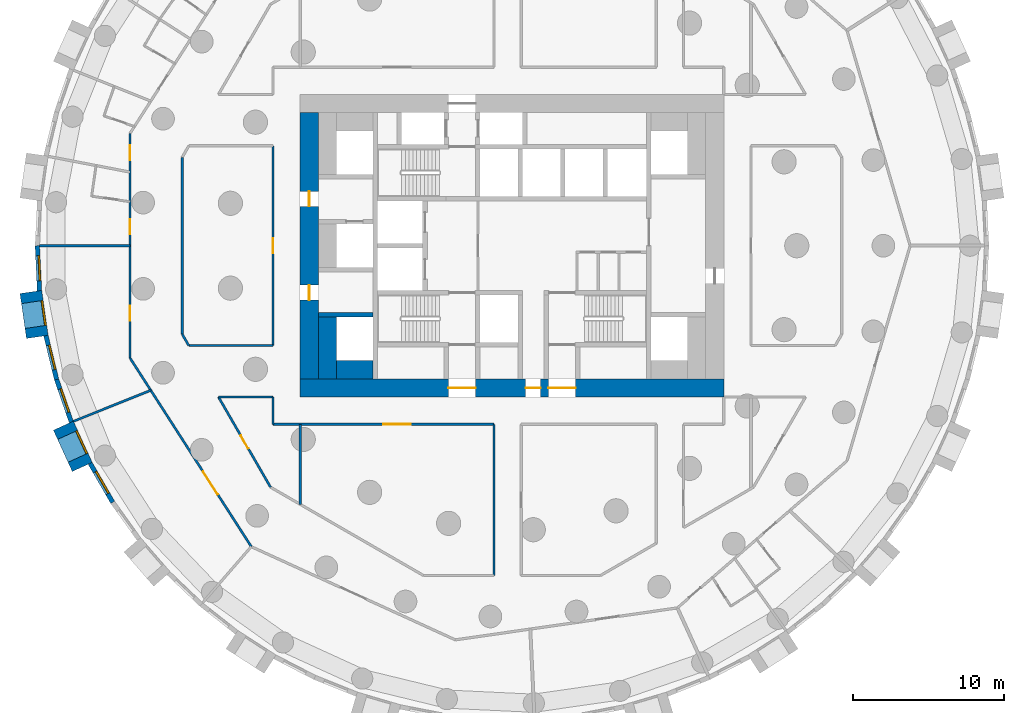
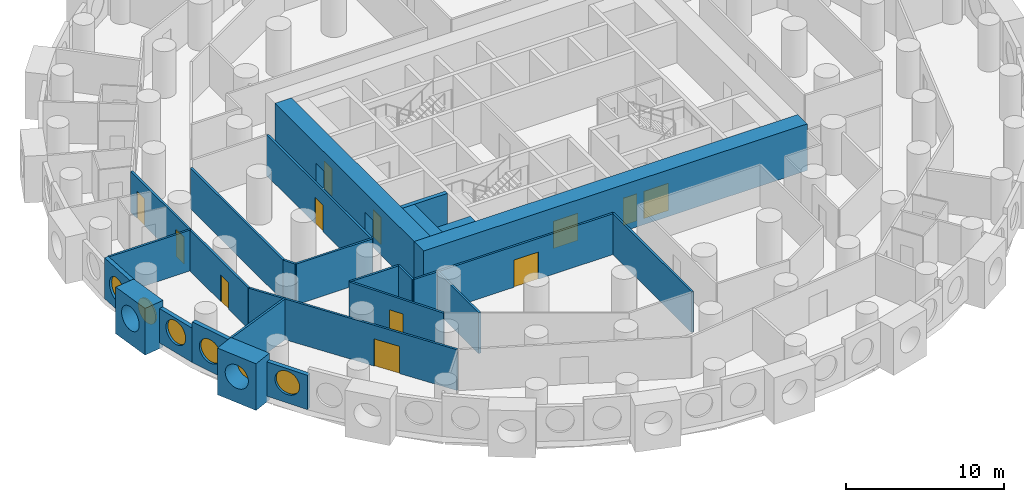
# One storey, part 3 of 11: 25 walls, 12 doors, 6 windows, 18 openings.
"""IFC4 building model written with IfcOpenShell, lengths in metres."""

from ifc_helpers import new_model, si_unit, direction, frame, frame_2d, origin, origin_2d, place, context, subcontext, project, spatial, rectangle, circle, extrude, material, layer, layer_set, type_object, element, fill, save


model = new_model("IFC4")

# Units and contexts
model_context = context("Model", 3, precision=1e-05, world=origin(), true_north=direction((0.0, 1.0)))
body_context = subcontext(model_context, "Body", "Model", "MODEL_VIEW")
ifc_project = project(units=[si_unit("LENGTHUNIT", "METRE"), si_unit("AREAUNIT", "SQUARE_METRE"), si_unit("VOLUMEUNIT", "CUBIC_METRE"), si_unit("PLANEANGLEUNIT", "RADIAN"), si_unit("MASSUNIT", "GRAM", prefix="KILO")], contexts=[model_context])

# Site, building, storey
site_placement = place(None, origin())
site = spatial("IfcSite", under=ifc_project, at=site_placement, CompositionType="ELEMENT")
building_placement = place(site_placement, origin())
building = spatial("IfcBuilding", under=site, at=building_placement, Name="Tracery Tower", CompositionType="ELEMENT")
storey_placement = place(building_placement, frame((0.0, 0.0, 60.60009765625)))
storey = spatial("IfcBuildingStorey", under=building, at=storey_placement, Name="L14", CompositionType="ELEMENT", Elevation=60.60009765625)

# Walls
ifc_material_1 = material(Name="Concrete C60/75", Category="concrete")
ifc_layer_1 = layer(ifc_material_1, 1.199951171875)
ifc_layer_set_1 = layer_set([ifc_layer_1], Name="Core strip wall 1200 C60")
wall_type_1 = type_object("IfcWallType", Name="Core strip wall 1200 C60", PredefinedType="SOLIDWALL", material=ifc_layer_set_1)
wall_1_placement = place(storey_placement, frame((-12.199951171875, -8.800048828125, 0.0), z_axis=(0.0, 0.0, 1.0), x_axis=(0.0, 1.0, 0.0)))
element("IfcWall", 1, at=wall_1_placement, inside=storey, type_object=wall_type_1, Name="L14 wing strip -1 -9.4", PredefinedType="SOLIDWALL", context=body_context, shape_type="SweptSolid", body=[
    extrude(rectangle(XDim=4.10009765625, YDim=1.199951171875, at=frame_2d((2.050048828125, 0.0))), origin(), (0.0, 0.0, 1.0), 3.14990234375),
])
wall_2_placement = place(storey_placement, frame((-11.60009765625, -8.199951171875, 0.0), z_axis=(0.0, 0.0, 1.0), x_axis=(1.0, 0.0, 0.0)))
element("IfcWall", 2, at=wall_2_placement, inside=storey, type_object=wall_type_1, Name="L14 wing corner -1 -8.2", PredefinedType="SOLIDWALL", context=body_context, shape_type="SweptSolid", body=[
    extrude(rectangle(XDim=2.400146484375, YDim=1.199951171875, at=frame_2d((1.2001953125, 0.0))), origin(), (0.0, 0.0, 1.0), 3.14990234375),
])

# Wall, openings, doors
ifc_material_2 = material(Name="Concrete C60/75", Category="concrete")
ifc_layer_2 = layer(ifc_material_2, 1.199951171875)
ifc_layer_set_2 = layer_set([ifc_layer_2], Name="Core wall 1200 C60")
wall_type_2 = type_object("IfcWallType", Name="Core wall 1200 C60", PredefinedType="SOLIDWALL", material=ifc_layer_set_2)
wall_3_placement = place(storey_placement, frame((-14.0, -9.39990234375, 0.0), z_axis=(0.0, 0.0, 1.0), x_axis=(1.0, 0.0, 0.0)))
wall_3 = element("IfcWall", 3, at=wall_3_placement, inside=storey, type_object=wall_type_2, Name="L14 outer S", PredefinedType="SOLIDWALL", context=body_context, shape_type="SweptSolid", body=[
    extrude(rectangle(XDim=28.0, YDim=1.199951171875, at=frame_2d((14.0, 0.0))), origin(), (0.0, 0.0, 1.0), 3.599853515625),
])
opening_1_placement = place(wall_3_placement, frame((14.89990234375, 0.0, 0.0)))
opening_1 = element("IfcOpeningElement", 4, at=opening_1_placement, cuts=wall_3, Name="Opening KD16", PredefinedType="OPENING", context=body_context, shape_type="SweptSolid", body=[
    extrude(rectangle(XDim=1.0, YDim=2.10009765625, at=frame_2d((0.5, 1.050048828125))), frame((0.0, 0.60009765625, 0.0), z_axis=(0.0, -1.0, 0.0), x_axis=(1.0, 0.0, 0.0)), (0.0, 0.0, 1.0), 1.199951171875),
])
opening_2_placement = place(wall_3_placement, frame((9.800048828125, 0.0, 0.0)))
opening_2 = element("IfcOpeningElement", 5, at=opening_2_placement, cuts=wall_3, Name="Opening KD13", PredefinedType="OPENING", context=body_context, shape_type="SweptSolid", body=[
    extrude(rectangle(XDim=1.800048828125, YDim=2.10009765625, at=frame_2d((0.89990234375, 1.050048828125))), frame((0.0, 0.60009765625, 0.0), z_axis=(0.0, -1.0, 0.0), x_axis=(1.0, 0.0, 0.0)), (0.0, 0.0, 1.0), 1.199951171875),
])
opening_3_placement = place(wall_3_placement, frame((16.39990234375, 0.0, 0.0)))
opening_3 = element("IfcOpeningElement", 6, at=opening_3_placement, cuts=wall_3, Name="Opening KD13", PredefinedType="OPENING", context=body_context, shape_type="SweptSolid", body=[
    extrude(rectangle(XDim=1.800048828125, YDim=2.10009765625, at=frame_2d((0.89990234375, 1.050048828125))), frame((0.0, 0.60009765625, 0.0), z_axis=(0.0, -1.0, 0.0), x_axis=(1.0, 0.0, 0.0)), (0.0, 0.0, 1.0), 1.199951171875),
])
ifc_material_3 = material(Name="Steel fire door", Category="steel")
door_type_1 = type_object("IfcDoorType", Name="Core exit door 1000", OperationType="NOTDEFINED", PredefinedType="DOOR", material=ifc_material_3)
door_1_placement = place(opening_1_placement, origin())
door_1 = element("IfcDoor", 7, at=door_1_placement, inside=storey, type_object=door_type_1, Name="Core exit door", OperationType="SINGLE_SWING_LEFT", OverallHeight=2.10009765625, OverallWidth=1.0, PredefinedType="DOOR", context=body_context, shape_type="SweptSolid", body=[
    extrude(rectangle(XDim=1.0, YDim=2.10009765625, at=frame_2d((0.5, 1.050048828125))), frame((0.0, 0.02490234375, 0.0), z_axis=(0.0, -1.0, 0.0), x_axis=(1.0, 0.0, 0.0)), (0.0, 0.0, 1.0), 0.050048828125),
])
fill(opening_1, door_1)
ifc_material_4 = material(Name="Steel fire door", Category="steel")
door_type_2 = type_object("IfcDoorType", Name="Core exit door 1800 double", OperationType="NOTDEFINED", PredefinedType="DOOR", material=ifc_material_4)
door_2_placement = place(opening_2_placement, origin())
door_2 = element("IfcDoor", 8, at=door_2_placement, inside=storey, type_object=door_type_2, Name="Core exit door", OperationType="DOUBLE_DOOR_SINGLE_SWING", OverallHeight=2.10009765625, OverallWidth=1.800048828125, PredefinedType="DOOR", context=body_context, shape_type="SweptSolid", body=[
    extrude(rectangle(XDim=1.800048828125, YDim=2.10009765625, at=frame_2d((0.89990234375, 1.050048828125))), frame((0.0, 0.02490234375, 0.0), z_axis=(0.0, -1.0, 0.0), x_axis=(1.0, 0.0, 0.0)), (0.0, 0.0, 1.0), 0.050048828125),
])
fill(opening_2, door_2)
door_3_placement = place(opening_3_placement, origin())
door_3 = element("IfcDoor", 9, at=door_3_placement, inside=storey, type_object=door_type_2, Name="Core exit door", OperationType="DOUBLE_DOOR_SINGLE_SWING", OverallHeight=2.10009765625, OverallWidth=1.800048828125, PredefinedType="DOOR", context=body_context, shape_type="SweptSolid", body=[
    extrude(rectangle(XDim=1.800048828125, YDim=2.10009765625, at=frame_2d((0.89990234375, 1.050048828125))), frame((0.0, 0.02490234375, 0.0), z_axis=(0.0, -1.0, 0.0), x_axis=(1.0, 0.0, 0.0)), (0.0, 0.0, 1.0), 0.050048828125),
])
fill(opening_3, door_3)

wall_4_placement = place(storey_placement, frame((-13.39990234375, -8.800048828125, 0.0), z_axis=(0.0, 0.0, 1.0), x_axis=(0.0, 1.0, 0.0)))
wall_4 = element("IfcWall", 10, at=wall_4_placement, inside=storey, type_object=wall_type_2, Name="L14 outer W", PredefinedType="SOLIDWALL", context=body_context, shape_type="SweptSolid", body=[
    extrude(rectangle(XDim=17.60009765625, YDim=1.199951171875, at=frame_2d((8.800048828125, 0.0))), origin(), (0.0, 0.0, 1.0), 3.599853515625),
])
opening_4_placement = place(wall_4_placement, frame((5.199951171875, 0.0, 0.0)))
opening_4 = element("IfcOpeningElement", 11, at=opening_4_placement, cuts=wall_4, Name="Opening KD18", PredefinedType="OPENING", context=body_context, shape_type="SweptSolid", body=[
    extrude(rectangle(XDim=1.0, YDim=2.10009765625, at=frame_2d((0.5, 1.050048828125))), frame((0.0, 0.60009765625, 0.0), z_axis=(0.0, -1.0, 0.0), x_axis=(1.0, 0.0, 0.0)), (0.0, 0.0, 1.0), 1.199951171875),
])
opening_5_placement = place(wall_4_placement, frame((11.39990234375, 0.0, 0.0)))
opening_5 = element("IfcOpeningElement", 12, at=opening_5_placement, cuts=wall_4, Name="Opening KD18", PredefinedType="OPENING", context=body_context, shape_type="SweptSolid", body=[
    extrude(rectangle(XDim=1.0, YDim=2.10009765625, at=frame_2d((0.5, 1.050048828125))), frame((0.0, 0.60009765625, 0.0), z_axis=(0.0, -1.0, 0.0), x_axis=(1.0, 0.0, 0.0)), (0.0, 0.0, 1.0), 1.199951171875),
])
door_4_placement = place(opening_4_placement, origin())
door_4 = element("IfcDoor", 13, at=door_4_placement, inside=storey, type_object=door_type_1, Name="Core exit door", OperationType="DOUBLE_DOOR_SINGLE_SWING", OverallHeight=2.10009765625, OverallWidth=1.0, PredefinedType="DOOR", context=body_context, shape_type="SweptSolid", body=[
    extrude(rectangle(XDim=1.0, YDim=2.10009765625, at=frame_2d((0.5, 1.050048828125))), frame((0.0, 0.02490234375, 0.0), z_axis=(0.0, -1.0, 0.0), x_axis=(1.0, 0.0, 0.0)), (0.0, 0.0, 1.0), 0.050048828125),
])
fill(opening_4, door_4)
door_5_placement = place(opening_5_placement, origin())
door_5 = element("IfcDoor", 14, at=door_5_placement, inside=storey, type_object=door_type_1, Name="Core exit door", OperationType="DOUBLE_DOOR_SINGLE_SWING", OverallHeight=2.10009765625, OverallWidth=1.0, PredefinedType="DOOR", context=body_context, shape_type="SweptSolid", body=[
    extrude(rectangle(XDim=1.0, YDim=2.10009765625, at=frame_2d((0.5, 1.050048828125))), frame((0.0, 0.02490234375, 0.0), z_axis=(0.0, -1.0, 0.0), x_axis=(1.0, 0.0, 0.0)), (0.0, 0.0, 1.0), 0.050048828125),
])
fill(opening_5, door_5)

# Wall, opening, window
ifc_material_5 = material(Name="Precast concrete C50/60", Category="concrete")
ifc_layer_3 = layer(ifc_material_5, 1.449951171875)
ifc_layer_set_3 = layer_set([ifc_layer_3], Name="Deep-set bay unit 3000 x 3600, slab edge 450")
wall_type_3 = type_object("IfcWallType", Name="Deep-set bay unit 3000 x 3600, slab edge 450", PredefinedType="ELEMENTEDWALL", material=ifc_layer_set_3)
wall_5_placement = place(storey_placement, frame((-31.802490234375, -3.05712890625, -0.4501953125), z_axis=(0.0, 0.0, 1.0), x_axis=(0.142332746704, -0.989818866872, 0.0)))
wall_5 = element("IfcWall", 15, at=wall_5_placement, inside=storey, type_object=wall_type_3, Name="Deep-set bay unit 35 at L14", PredefinedType="ELEMENTEDWALL", context=body_context, shape_type="SweptSolid", body=[
    extrude(rectangle(XDim=3.0, YDim=1.449951171875, at=frame_2d((1.5, 0.0))), origin(), (0.0, 0.0, 1.0), 3.60009765625),
])
opening_6_placement = place(wall_5_placement, frame((1.5, 0.0, 2.0)))
opening_6 = element("IfcOpeningElement", 16, at=opening_6_placement, cuts=wall_5, Name="Opening WN1", PredefinedType="OPENING", context=body_context, shape_type="SweptSolid", body=[
    extrude(circle(Radius=0.9000244140625, at=origin_2d()), frame((0.0, 0.73486328125, 0.0), z_axis=(0.0, -1.0, 0.0), x_axis=(1.0, 0.0, 0.0)), (0.0, 0.0, 1.0), 1.469970703125),
])
ifc_material_6 = material(Name="Aluminium frame with tinted double glazing", Category="aluminium")
window_type = type_object("IfcWindowType", Name="Round window 1800", PartitioningType="SINGLE_PANEL", PredefinedType="WINDOW", material=ifc_material_6)
window_1_placement = place(opening_6_placement, origin())
window_1 = element("IfcWindow", 17, at=window_1_placement, inside=storey, type_object=window_type, Name="Round window 35 at L14", OverallHeight=1.800048828125, OverallWidth=1.800048828125, PartitioningType="SINGLE_PANEL", PredefinedType="WINDOW", context=body_context, shape_type="SweptSolid", body=[
    extrude(circle(Radius=0.9000244140625, at=origin_2d()), frame((0.0, 0.69482421875, 0.0), z_axis=(0.0, -1.0, 0.0), x_axis=(1.0, 0.0, 0.0)), (0.0, 0.0, 1.0), 0.10009765625),
])
fill(opening_6, window_1)

wall_6_placement = place(storey_placement, frame((-29.653076171875, -11.89306640625, -0.4501953125), z_axis=(0.0, 0.0, 1.0), x_axis=(0.415427028395, -0.909626508012, 0.0)))
wall_6 = element("IfcWall", 18, at=wall_6_placement, inside=storey, type_object=wall_type_3, Name="Deep-set bay unit 38 at L14", PredefinedType="ELEMENTEDWALL", context=body_context, shape_type="SweptSolid", body=[
    extrude(rectangle(XDim=3.000244140625, YDim=1.449951171875, at=frame_2d((1.5, 0.0))), origin(), (0.0, 0.0, 1.0), 3.60009765625),
])
opening_7_placement = place(wall_6_placement, frame((1.5, 0.0, 2.0)))
opening_7 = element("IfcOpeningElement", 19, at=opening_7_placement, cuts=wall_6, Name="Opening WN1", PredefinedType="OPENING", context=body_context, shape_type="SweptSolid", body=[
    extrude(circle(Radius=0.9000244140625, at=origin_2d()), frame((0.0, 0.73486328125, 0.0), z_axis=(0.0, -1.0, 0.0), x_axis=(1.0, 0.0, 0.0)), (0.0, 0.0, 1.0), 1.469970703125),
])
window_2_placement = place(opening_7_placement, origin())
window_2 = element("IfcWindow", 20, at=window_2_placement, inside=storey, type_object=window_type, Name="Round window 38 at L14", OverallHeight=1.800048828125, OverallWidth=1.800048828125, PartitioningType="SINGLE_PANEL", PredefinedType="WINDOW", context=body_context, shape_type="SweptSolid", body=[
    extrude(circle(Radius=0.9000244140625, at=origin_2d()), frame((0.0, 0.69482421875, 0.0), z_axis=(0.0, -1.0, 0.0), x_axis=(1.0, 0.0, 0.0)), (0.0, 0.0, 1.0), 0.10009765625),
])
fill(opening_7, window_2)

ifc_material_7 = material(Name="Precast concrete C50/60", Category="concrete")
ifc_layer_4 = layer(ifc_material_7, 0.300048828125)
ifc_layer_set_4 = layer_set([ifc_layer_4], Name="Facade panel 3000 x 2650")
wall_type_4 = type_object("IfcWallType", Name="Facade panel 3000 x 2650", PredefinedType="SOLIDWALL", material=ifc_layer_set_4)
wall_7_placement = place(storey_placement, frame((-30.805908203125, -5.943603515625, 0.0), z_axis=(0.0, 0.0, 1.0), x_axis=(0.235743081534, -0.971815414319, 0.0)))
wall_7 = element("IfcWall", 21, at=wall_7_placement, inside=storey, type_object=wall_type_4, Name="Facade panel 36 at L14", PredefinedType="SOLIDWALL", context=body_context, shape_type="SweptSolid", body=[
    extrude(rectangle(XDim=2.9794921875, YDim=0.300048828125, at=frame_2d((1.48974609375, 0.0))), origin(), (0.0, 0.0, 1.0), 2.64990234375),
])
opening_8_placement = place(wall_7_placement, frame((1.48974609375, 0.0, 1.5498046875)))
opening_8 = element("IfcOpeningElement", 22, at=opening_8_placement, cuts=wall_7, Name="Opening WN1", PredefinedType="OPENING", context=body_context, shape_type="SweptSolid", body=[
    extrude(circle(Radius=0.9000244140625, at=origin_2d()), frame((0.0, 0.159912109375, 0.0), z_axis=(0.0, -1.0, 0.0), x_axis=(1.0, 0.0, 0.0)), (0.0, 0.0, 1.0), 0.320068359375),
])
window_3_placement = place(opening_8_placement, origin())
window_3 = element("IfcWindow", 23, at=window_3_placement, inside=storey, type_object=window_type, Name="Round window 36 at L14", OverallHeight=1.800048828125, OverallWidth=1.800048828125, PartitioningType="SINGLE_PANEL", PredefinedType="WINDOW", context=body_context, shape_type="SweptSolid", body=[
    extrude(circle(Radius=0.9000244140625, at=origin_2d()), frame((0.0, 0.1201171875, 0.0), z_axis=(0.0, -1.0, 0.0), x_axis=(1.0, 0.0, 0.0)), (0.0, 0.0, 1.0), 0.10009765625),
])
fill(opening_8, window_3)

wall_8_placement = place(storey_placement, frame((-27.8837890625, -14.3818359375, 0.0), z_axis=(0.0, 0.0, 1.0), x_axis=(0.500025049464, -0.866010940986, 0.0)))
wall_8 = element("IfcWall", 24, at=wall_8_placement, inside=storey, type_object=wall_type_4, Name="Facade panel 39 at L14", PredefinedType="SOLIDWALL", context=body_context, shape_type="SweptSolid", body=[
    extrude(rectangle(XDim=2.979736328125, YDim=0.300048828125, at=frame_2d((1.48974609375, 0.0))), origin(), (0.0, 0.0, 1.0), 2.64990234375),
])
opening_9_placement = place(wall_8_placement, frame((1.48974609375, 0.0, 1.5498046875)))
opening_9 = element("IfcOpeningElement", 25, at=opening_9_placement, cuts=wall_8, Name="Opening WN1", PredefinedType="OPENING", context=body_context, shape_type="SweptSolid", body=[
    extrude(circle(Radius=0.9000244140625, at=origin_2d()), frame((0.0, 0.159912109375, 0.0), z_axis=(0.0, -1.0, 0.0), x_axis=(1.0, 0.0, 0.0)), (0.0, 0.0, 1.0), 0.320068359375),
])
window_4_placement = place(opening_9_placement, origin())
window_4 = element("IfcWindow", 26, at=window_4_placement, inside=storey, type_object=window_type, Name="Round window 39 at L14", OverallHeight=1.800048828125, OverallWidth=1.800048828125, PartitioningType="SINGLE_PANEL", PredefinedType="WINDOW", context=body_context, shape_type="SweptSolid", body=[
    extrude(circle(Radius=0.9000244140625, at=origin_2d()), frame((0.0, 0.1201171875, 0.0), z_axis=(0.0, -1.0, 0.0), x_axis=(1.0, 0.0, 0.0)), (0.0, 0.0, 1.0), 0.10009765625),
])
fill(opening_9, window_4)

ifc_material_8 = material(Name="Precast concrete C50/60", Category="concrete")
ifc_layer_5 = layer(ifc_material_8, 0.300048828125)
ifc_layer_set_5 = layer_set([ifc_layer_5], Name="Facade panel 3000 x 3150")
wall_type_5 = type_object("IfcWallType", Name="Facade panel 3000 x 3150", PredefinedType="SOLIDWALL", material=ifc_layer_set_5)
wall_9_placement = place(storey_placement, frame((-31.37451171875, 0.0, 0.0), z_axis=(0.0, 0.0, 1.0), x_axis=(0.047604077644, -0.998866283239, 0.0)))
wall_9 = element("IfcWall", 27, at=wall_9_placement, inside=storey, type_object=wall_type_5, Name="Facade panel 34 at L14", PredefinedType="SOLIDWALL", context=body_context, shape_type="SweptSolid", body=[
    extrude(rectangle(XDim=2.979736328125, YDim=0.300048828125, at=frame_2d((1.48974609375, 0.0))), origin(), (0.0, 0.0, 1.0), 3.14990234375),
])
opening_10_placement = place(wall_9_placement, frame((1.48974609375, 0.0, 1.5498046875)))
opening_10 = element("IfcOpeningElement", 28, at=opening_10_placement, cuts=wall_9, Name="Opening WN1", PredefinedType="OPENING", context=body_context, shape_type="SweptSolid", body=[
    extrude(circle(Radius=0.9000244140625, at=origin_2d()), frame((0.0, 0.159912109375, 0.0), z_axis=(0.0, -1.0, 0.0), x_axis=(1.0, 0.0, 0.0)), (0.0, 0.0, 1.0), 0.320068359375),
])
window_5_placement = place(opening_10_placement, origin())
window_5 = element("IfcWindow", 29, at=window_5_placement, inside=storey, type_object=window_type, Name="Round window 34 at L14", OverallHeight=1.800048828125, OverallWidth=1.800048828125, PartitioningType="SINGLE_PANEL", PredefinedType="WINDOW", context=body_context, shape_type="SweptSolid", body=[
    extrude(circle(Radius=0.9000244140625, at=origin_2d()), frame((0.0, 0.1201171875, 0.0), z_axis=(0.0, -1.0, 0.0), x_axis=(1.0, 0.0, 0.0)), (0.0, 0.0, 1.0), 0.10009765625),
])
fill(opening_10, window_5)

wall_10_placement = place(storey_placement, frame((-30.103515625, -8.839111328125, 0.0), z_axis=(0.0, 0.0, 1.0), x_axis=(0.327071167136, -0.944999709856, 0.0)))
wall_10 = element("IfcWall", 30, at=wall_10_placement, inside=storey, type_object=wall_type_5, Name="Facade panel 37 at L14", PredefinedType="SOLIDWALL", context=body_context, shape_type="SweptSolid", body=[
    extrude(rectangle(XDim=2.979736328125, YDim=0.300048828125, at=frame_2d((1.48974609375, 0.0))), origin(), (0.0, 0.0, 1.0), 3.14990234375),
])
opening_11_placement = place(wall_10_placement, frame((1.48974609375, 0.0, 1.5498046875)))
opening_11 = element("IfcOpeningElement", 31, at=opening_11_placement, cuts=wall_10, Name="Opening WN1", PredefinedType="OPENING", context=body_context, shape_type="SweptSolid", body=[
    extrude(circle(Radius=0.9000244140625, at=origin_2d()), frame((0.0, 0.159912109375, 0.0), z_axis=(0.0, -1.0, 0.0), x_axis=(1.0, 0.0, 0.0)), (0.0, 0.0, 1.0), 0.320068359375),
])
window_6_placement = place(opening_11_placement, origin())
window_6 = element("IfcWindow", 32, at=window_6_placement, inside=storey, type_object=window_type, Name="Round window 37 at L14", OverallHeight=1.800048828125, OverallWidth=1.800048828125, PartitioningType="SINGLE_PANEL", PredefinedType="WINDOW", context=body_context, shape_type="SweptSolid", body=[
    extrude(circle(Radius=0.9000244140625, at=origin_2d()), frame((0.0, 0.1201171875, 0.0), z_axis=(0.0, -1.0, 0.0), x_axis=(1.0, 0.0, 0.0)), (0.0, 0.0, 1.0), 0.10009765625),
])
fill(opening_11, window_6)

# Walls
ifc_material_9 = material(Name="Plasterboard on steel studs", Category="steel")
ifc_layer_6 = layer(ifc_material_9, 0.14990234375)
ifc_layer_set_6 = layer_set([ifc_layer_6], Name="Partition 150 acoustic unit wall")
wall_type_6 = type_object("IfcWallType", Name="Partition 150 acoustic unit wall", PredefinedType="PARTITIONING", material=ifc_layer_set_6)
wall_11_placement = place(storey_placement, frame((-14.0, -17.092041015625, 0.0), z_axis=(0.0, 0.0, 1.0), x_axis=(0.0, 1.0, 0.0)))
element("IfcWall", 33, at=wall_11_placement, inside=storey, type_object=wall_type_6, Name="Unit wall RA4-063", PredefinedType="PARTITIONING", context=body_context, shape_type="SweptSolid", body=[
    extrude(rectangle(XDim=5.2919921875, YDim=0.14990234375, at=frame_2d((2.64599609375, 0.0))), origin(), (0.0, 0.0, 1.0), 3.14990234375),
])
wall_12_placement = place(storey_placement, frame((-31.22412109375, 0.0, 0.0), z_axis=(0.0, 0.0, 1.0), x_axis=(1.0, 0.0, 0.0)))
element("IfcWall", 34, at=wall_12_placement, inside=storey, type_object=wall_type_6, Name="Unit wall RA4-082", PredefinedType="PARTITIONING", context=body_context, shape_type="SweptSolid", body=[
    extrude(rectangle(XDim=5.97119140625, YDim=0.14990234375, at=frame_2d((2.985595703125, 0.0))), origin(), (0.0, 0.0, 1.0), 3.14990234375),
])
wall_13_placement = place(storey_placement, frame((-28.988037109375, -11.60498046875, 0.0), z_axis=(0.0, 0.0, 1.0), x_axis=(0.928372711727, 0.371650518795, 0.0)))
element("IfcWall", 35, at=wall_13_placement, inside=storey, type_object=wall_type_6, Name="Unit wall RA4-083", PredefinedType="PARTITIONING", context=body_context, shape_type="SweptSolid", body=[
    extrude(rectangle(XDim=5.507568359375, YDim=0.14990234375, at=frame_2d((2.75390625, 0.0))), origin(), (0.0, 0.0, 1.0), 3.14990234375),
])

# Wall, opening, door
ifc_material_10 = material(Name="Plasterboard on steel studs", Category="steel")
ifc_layer_7 = layer(ifc_material_10, 0.14990234375)
ifc_layer_set_7 = layer_set([ifc_layer_7], Name="Partition 150 corridor wall")
wall_type_7 = type_object("IfcWallType", Name="Partition 150 corridor wall", PredefinedType="PARTITIONING", material=ifc_layer_set_7)
wall_14_placement = place(storey_placement, frame((-15.800048828125, -11.800048828125, 0.0), z_axis=(0.0, 0.0, 1.0), x_axis=(1.0, 0.0, 0.0)))
wall_14 = element("IfcWall", 36, at=wall_14_placement, inside=storey, type_object=wall_type_7, Name="Corridor wall RA4-006", PredefinedType="PARTITIONING", context=body_context, shape_type="SweptSolid", body=[
    extrude(rectangle(XDim=14.612060546875, YDim=0.14990234375, at=frame_2d((7.30615234375, 0.0))), origin(), (0.0, 0.0, 1.0), 3.14990234375),
])
opening_12_placement = place(wall_14_placement, frame((7.303955078125, 0.0, 0.0)))
opening_12 = element("IfcOpeningElement", 37, at=opening_12_placement, cuts=wall_14, Name="Opening RA4-04", PredefinedType="OPENING", context=body_context, shape_type="SweptSolid", body=[
    extrude(rectangle(XDim=1.800048828125, YDim=2.10009765625, at=frame_2d((0.89990234375, 1.050048828125))), frame((0.0, 0.074951171875, 0.0), z_axis=(0.0, -1.0, 0.0), x_axis=(1.0, 0.0, 0.0)), (0.0, 0.0, 1.0), 0.14990234375),
])
ifc_material_11 = material(Name="Timber door leaf", Category="wood")
door_type_3 = type_object("IfcDoorType", Name="Door double lounge 1800", OperationType="NOTDEFINED", PredefinedType="DOOR", material=ifc_material_11)
door_6_placement = place(opening_12_placement, origin())
door_6 = element("IfcDoor", 38, at=door_6_placement, inside=storey, type_object=door_type_3, Name="Double lounge door RA4-04", OperationType="DOUBLE_DOOR_SINGLE_SWING", OverallHeight=2.10009765625, OverallWidth=1.800048828125, PredefinedType="DOOR", context=body_context, shape_type="SweptSolid", body=[
    extrude(rectangle(XDim=1.800048828125, YDim=2.10009765625, at=frame_2d((0.89990234375, 1.050048828125))), frame((0.0, 0.02490234375, 0.0), z_axis=(0.0, -1.0, 0.0), x_axis=(1.0, 0.0, 0.0)), (0.0, 0.0, 1.0), 0.050048828125),
])
fill(opening_12, door_6)

# Wall
wall_15_placement = place(storey_placement, frame((-15.800048828125, -11.800048828125, 0.0), z_axis=(0.0, 0.0, 1.0), x_axis=(0.0, 1.0, 0.0)))
element("IfcWall", 39, at=wall_15_placement, inside=storey, type_object=wall_type_7, Name="Corridor wall RA4-010", PredefinedType="PARTITIONING", context=body_context, shape_type="SweptSolid", body=[
    extrude(rectangle(XDim=1.800048828125, YDim=0.14990234375, at=frame_2d((0.89990234375, 0.0))), origin(), (0.0, 0.0, 1.0), 3.14990234375),
])

# Wall, opening, door
wall_16_placement = place(storey_placement, frame((-15.800048828125, -6.60400390625, 0.0), z_axis=(0.0, 0.0, 1.0), x_axis=(0.0, 1.0, 0.0)))
wall_16 = element("IfcWall", 40, at=wall_16_placement, inside=storey, type_object=wall_type_7, Name="Corridor wall RA4-014", PredefinedType="PARTITIONING", context=body_context, shape_type="SweptSolid", body=[
    extrude(rectangle(XDim=13.2080078125, YDim=0.14990234375, at=frame_2d((6.60400390625, 0.0))), origin(), (0.0, 0.0, 1.0), 3.14990234375),
])
opening_13_placement = place(wall_16_placement, frame((6.10400390625, 0.0, 0.0)))
opening_13 = element("IfcOpeningElement", 41, at=opening_13_placement, cuts=wall_16, Name="Opening RA4-08", PredefinedType="OPENING", context=body_context, shape_type="SweptSolid", body=[
    extrude(rectangle(XDim=1.0, YDim=2.0400390625, at=frame_2d((0.5, 1.02001953125))), frame((0.0, 0.074951171875, 0.0), z_axis=(0.0, -1.0, 0.0), x_axis=(1.0, 0.0, 0.0)), (0.0, 0.0, 1.0), 0.14990234375),
])
ifc_material_12 = material(Name="Timber door leaf", Category="wood")
door_type_4 = type_object("IfcDoorType", Name="Door communal room 1000", OperationType="NOTDEFINED", PredefinedType="DOOR", material=ifc_material_12)
door_7_placement = place(opening_13_placement, origin())
door_7 = element("IfcDoor", 42, at=door_7_placement, inside=storey, type_object=door_type_4, Name="Communal room door RA4-08", OperationType="SINGLE_SWING_RIGHT", OverallHeight=2.0400390625, OverallWidth=1.0, PredefinedType="DOOR", context=body_context, shape_type="SweptSolid", body=[
    extrude(rectangle(XDim=1.0, YDim=2.0400390625, at=frame_2d((0.5, 1.02001953125))), frame((0.0, 0.02490234375, 0.0), z_axis=(0.0, -1.0, 0.0), x_axis=(1.0, 0.0, 0.0)), (0.0, 0.0, 1.0), 0.050048828125),
])
fill(opening_13, door_7)

# Walls
wall_17_placement = place(storey_placement, frame((-21.802001953125, -5.842041015625, 0.0), z_axis=(0.0, 0.0, 1.0), x_axis=(0.0, 1.0, 0.0)))
element("IfcWall", 43, at=wall_17_placement, inside=storey, type_object=wall_type_7, Name="Corridor wall RA4-040", PredefinedType="PARTITIONING", context=body_context, shape_type="SweptSolid", body=[
    extrude(rectangle(XDim=11.68408203125, YDim=0.14990234375, at=frame_2d((5.842041015625, 0.0))), origin(), (0.0, 0.0, 1.0), 3.14990234375),
])
wall_18_placement = place(storey_placement, frame((-21.802001953125, -5.842041015625, 0.0), z_axis=(0.0, 0.0, 1.0), x_axis=(0.500277597875, -0.865865073245, 0.0)))
element("IfcWall", 44, at=wall_18_placement, inside=storey, type_object=wall_type_7, Name="Corridor wall RA4-041", PredefinedType="PARTITIONING", context=body_context, shape_type="SweptSolid", body=[
    extrude(rectangle(XDim=0.87548828125, YDim=0.14990234375, at=frame_2d((0.437744140625, 0.0))), origin(), (0.0, 0.0, 1.0), 3.14990234375),
])
wall_19_placement = place(storey_placement, frame((-21.364013671875, -6.60009765625, 0.0), z_axis=(0.0, 0.0, 1.0), x_axis=(1.0, 0.0, 0.0)))
element("IfcWall", 45, at=wall_19_placement, inside=storey, type_object=wall_type_7, Name="Corridor wall RA4-042", PredefinedType="PARTITIONING", context=body_context, shape_type="SweptSolid", body=[
    extrude(rectangle(XDim=5.56396484375, YDim=0.14990234375, at=frame_2d((2.781982421875, 0.0))), origin(), (0.0, 0.0, 1.0), 3.14990234375),
])
wall_20_placement = place(storey_placement, frame((-19.40087890625, -10.0, 0.0), z_axis=(0.0, 0.0, 1.0), x_axis=(1.0, 0.0, 0.0)))
element("IfcWall", 46, at=wall_20_placement, inside=storey, type_object=wall_type_7, Name="Corridor wall RA4-045", PredefinedType="PARTITIONING", context=body_context, shape_type="SweptSolid", body=[
    extrude(rectangle(XDim=3.600830078125, YDim=0.14990234375, at=frame_2d((1.80029296875, 0.0))), origin(), (0.0, 0.0, 1.0), 3.14990234375),
])

# Wall, opening, door
wall_21_placement = place(storey_placement, frame((-19.40087890625, -10.0, 0.0), z_axis=(0.0, 0.0, 1.0), x_axis=(0.499992689227, -0.86602962462, 0.0)))
wall_21 = element("IfcWall", 47, at=wall_21_placement, inside=storey, type_object=wall_type_7, Name="Corridor wall RA4-046", PredefinedType="PARTITIONING", context=body_context, shape_type="SweptSolid", body=[
    extrude(rectangle(XDim=6.8818359375, YDim=0.14990234375, at=frame_2d((3.44091796875, 0.0))), origin(), (0.0, 0.0, 1.0), 3.14990234375),
])
opening_14_placement = place(wall_21_placement, frame((2.94091796875, 0.0, 0.0)))
opening_14 = element("IfcOpeningElement", 48, at=opening_14_placement, cuts=wall_21, Name="Opening RA4-12", PredefinedType="OPENING", context=body_context, shape_type="SweptSolid", body=[
    extrude(rectangle(XDim=1.0, YDim=2.0400390625, at=frame_2d((0.5, 1.02001953125))), frame((0.0, 0.074951171875, 0.0), z_axis=(0.0, -1.0, 0.0), x_axis=(1.0, 0.0, 0.0)), (0.0, 0.0, 1.0), 0.14990234375),
])
door_8_placement = place(opening_14_placement, origin())
door_8 = element("IfcDoor", 49, at=door_8_placement, inside=storey, type_object=door_type_4, Name="Communal room door RA4-12", OperationType="SINGLE_SWING_LEFT", OverallHeight=2.0400390625, OverallWidth=1.0, PredefinedType="DOOR", context=body_context, shape_type="SweptSolid", body=[
    extrude(rectangle(XDim=1.0, YDim=2.0400390625, at=frame_2d((0.5, 1.02001953125))), frame((0.0, 0.02490234375, 0.0), z_axis=(0.0, -1.0, 0.0), x_axis=(1.0, 0.0, 0.0)), (0.0, 0.0, 1.0), 0.050048828125),
])
fill(opening_14, door_8)

# Wall, openings, doors
wall_22_placement = place(storey_placement, frame((-25.2529296875, -7.4150390625, 0.0), z_axis=(0.0, 0.0, 1.0), x_axis=(0.0, 1.0, 0.0)))
wall_22 = element("IfcWall", 50, at=wall_22_placement, inside=storey, type_object=wall_type_7, Name="Corridor wall RA4-047", PredefinedType="PARTITIONING", context=body_context, shape_type="SweptSolid", body=[
    extrude(rectangle(XDim=14.830078125, YDim=0.14990234375, at=frame_2d((7.4150390625, 0.0))), origin(), (0.0, 0.0, 1.0), 3.14990234375),
])
opening_15_placement = place(wall_22_placement, frame((13.053955078125, 0.0, 0.0)))
opening_15 = element("IfcOpeningElement", 51, at=opening_15_placement, cuts=wall_22, Name="Opening RA4-23", PredefinedType="OPENING", context=body_context, shape_type="SweptSolid", body=[
    extrude(rectangle(XDim=1.0, YDim=2.10009765625, at=frame_2d((0.5, 1.050048828125))), frame((0.0, 0.074951171875, 0.0), z_axis=(0.0, -1.0, 0.0), x_axis=(1.0, 0.0, 0.0)), (0.0, 0.0, 1.0), 0.14990234375),
])
opening_16_placement = place(wall_22_placement, frame((8.1689453125, 0.0, 0.0)))
opening_16 = element("IfcOpeningElement", 52, at=opening_16_placement, cuts=wall_22, Name="Opening RA4-25", PredefinedType="OPENING", context=body_context, shape_type="SweptSolid", body=[
    extrude(rectangle(XDim=1.0, YDim=2.10009765625, at=frame_2d((0.5, 1.050048828125))), frame((0.0, 0.074951171875, 0.0), z_axis=(0.0, -1.0, 0.0), x_axis=(1.0, 0.0, 0.0)), (0.0, 0.0, 1.0), 0.14990234375),
])
opening_17_placement = place(wall_22_placement, frame((2.458984375, 0.0, 0.0)))
opening_17 = element("IfcOpeningElement", 53, at=opening_17_placement, cuts=wall_22, Name="Opening RA4-26", PredefinedType="OPENING", context=body_context, shape_type="SweptSolid", body=[
    extrude(rectangle(XDim=1.0, YDim=2.0400390625, at=frame_2d((0.5, 1.02001953125))), frame((0.0, 0.074951171875, 0.0), z_axis=(0.0, -1.0, 0.0), x_axis=(1.0, 0.0, 0.0)), (0.0, 0.0, 1.0), 0.14990234375),
])
door_9_placement = place(opening_17_placement, origin())
door_9 = element("IfcDoor", 54, at=door_9_placement, inside=storey, type_object=door_type_4, Name="Communal room door RA4-26", OperationType="SINGLE_SWING_LEFT", OverallHeight=2.0400390625, OverallWidth=1.0, PredefinedType="DOOR", context=body_context, shape_type="SweptSolid", body=[
    extrude(rectangle(XDim=1.0, YDim=2.0400390625, at=frame_2d((0.5, 1.02001953125))), frame((0.0, 0.02490234375, 0.0), z_axis=(0.0, -1.0, 0.0), x_axis=(1.0, 0.0, 0.0)), (0.0, 0.0, 1.0), 0.050048828125),
])
fill(opening_17, door_9)
ifc_material_13 = material(Name="Timber door leaf", Category="wood")
door_type_5 = type_object("IfcDoorType", Name="Door unit entrance 1000", OperationType="NOTDEFINED", PredefinedType="DOOR", material=ifc_material_13)
door_10_placement = place(opening_15_placement, origin())
door_10 = element("IfcDoor", 55, at=door_10_placement, inside=storey, type_object=door_type_5, Name="Unit entrance door RA4-23", OperationType="SINGLE_SWING_RIGHT", OverallHeight=2.10009765625, OverallWidth=1.0, PredefinedType="DOOR", context=body_context, shape_type="SweptSolid", body=[
    extrude(rectangle(XDim=1.0, YDim=2.10009765625, at=frame_2d((0.5, 1.050048828125))), frame((0.0, 0.02490234375, 0.0), z_axis=(0.0, -1.0, 0.0), x_axis=(1.0, 0.0, 0.0)), (0.0, 0.0, 1.0), 0.050048828125),
])
fill(opening_15, door_10)
door_11_placement = place(opening_16_placement, origin())
door_11 = element("IfcDoor", 56, at=door_11_placement, inside=storey, type_object=door_type_5, Name="Unit entrance door RA4-25", OperationType="SINGLE_SWING_LEFT", OverallHeight=2.10009765625, OverallWidth=1.0, PredefinedType="DOOR", context=body_context, shape_type="SweptSolid", body=[
    extrude(rectangle(XDim=1.0, YDim=2.10009765625, at=frame_2d((0.5, 1.050048828125))), frame((0.0, 0.02490234375, 0.0), z_axis=(0.0, -1.0, 0.0), x_axis=(1.0, 0.0, 0.0)), (0.0, 0.0, 1.0), 0.050048828125),
])
fill(opening_16, door_11)

# Wall, opening, door
wall_23_placement = place(storey_placement, frame((-25.2529296875, -7.4150390625, 0.0), z_axis=(0.0, 0.0, 1.0), x_axis=(0.540867421004, -0.841107860442, 0.0)))
wall_23 = element("IfcWall", 57, at=wall_23_placement, inside=storey, type_object=wall_type_7, Name="Corridor wall RA4-048", PredefinedType="PARTITIONING", context=body_context, shape_type="SweptSolid", body=[
    extrude(rectangle(XDim=14.829345703125, YDim=0.14990234375, at=frame_2d((7.41455078125, 0.0))), origin(), (0.0, 0.0, 1.0), 3.14990234375),
])
opening_18_placement = place(wall_23_placement, frame((8.92626953125, 0.0, 0.0)))
opening_18 = element("IfcOpeningElement", 58, at=opening_18_placement, cuts=wall_23, Name="Opening RA4-27", PredefinedType="OPENING", context=body_context, shape_type="SweptSolid", body=[
    extrude(rectangle(XDim=1.800048828125, YDim=2.10009765625, at=frame_2d((0.89990234375, 1.050048828125))), frame((0.0, 0.074951171875, 0.0), z_axis=(0.0, -1.0, 0.0), x_axis=(1.0, 0.0, 0.0)), (0.0, 0.0, 1.0), 0.14990234375),
])
door_12_placement = place(opening_18_placement, origin())
door_12 = element("IfcDoor", 59, at=door_12_placement, inside=storey, type_object=door_type_3, Name="Double lounge door RA4-27", OperationType="DOUBLE_DOOR_SINGLE_SWING", OverallHeight=2.10009765625, OverallWidth=1.800048828125, PredefinedType="DOOR", context=body_context, shape_type="SweptSolid", body=[
    extrude(rectangle(XDim=1.800048828125, YDim=2.10009765625, at=frame_2d((0.89990234375, 1.050048828125))), frame((0.0, 0.02490234375, 0.0), z_axis=(0.0, -1.0, 0.0), x_axis=(1.0, 0.0, 0.0)), (0.0, 0.0, 1.0), 0.050048828125),
])
fill(opening_18, door_12)

# Walls
wall_24_placement = place(storey_placement, frame((-1.19189453125, -21.802001953125, 0.0), z_axis=(0.0, 0.0, 1.0), x_axis=(0.0, 1.0, 0.0)))
element("IfcWall", 60, at=wall_24_placement, inside=storey, type_object=wall_type_7, Name="Corridor wall RA4-051", PredefinedType="PARTITIONING", context=body_context, shape_type="SweptSolid", body=[
    extrude(rectangle(XDim=10.001953125, YDim=0.14990234375, at=frame_2d((5.0009765625, 0.0))), origin(), (0.0, 0.0, 1.0), 3.14990234375),
])
ifc_material_14 = material(Name="Concrete C60/75", Category="concrete")
ifc_layer_8 = layer(ifc_material_14, 0.300048828125)
ifc_layer_set_8 = layer_set([ifc_layer_8], Name="Shaft wall 300 C60")
wall_type_8 = type_object("IfcWallType", Name="Shaft wall 300 C60", PredefinedType="SOLIDWALL", material=ifc_layer_set_8)
wall_25_placement = place(storey_placement, frame((-12.800048828125, -4.550048828125, 0.0), z_axis=(0.0, 0.0, 1.0), x_axis=(1.0, 0.0, 0.0)))
element("IfcWall", 61, at=wall_25_placement, inside=storey, type_object=wall_type_8, Name="L14 wing shaft wall -1 -4.55", PredefinedType="SOLIDWALL", context=body_context, shape_type="SweptSolid", body=[
    extrude(rectangle(XDim=3.60009765625, YDim=0.300048828125, at=frame_2d((1.800048828125, 0.0))), origin(), (0.0, 0.0, 1.0), 3.14990234375),
])

save(model, "model.ifc")
